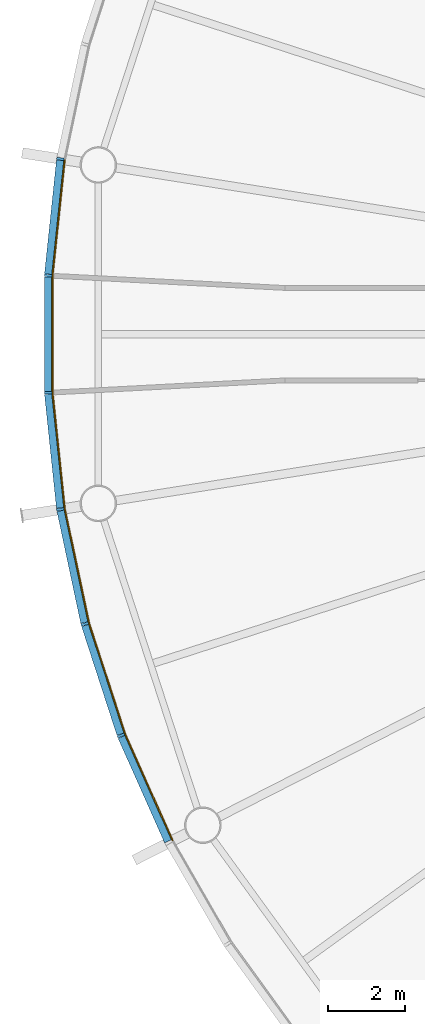
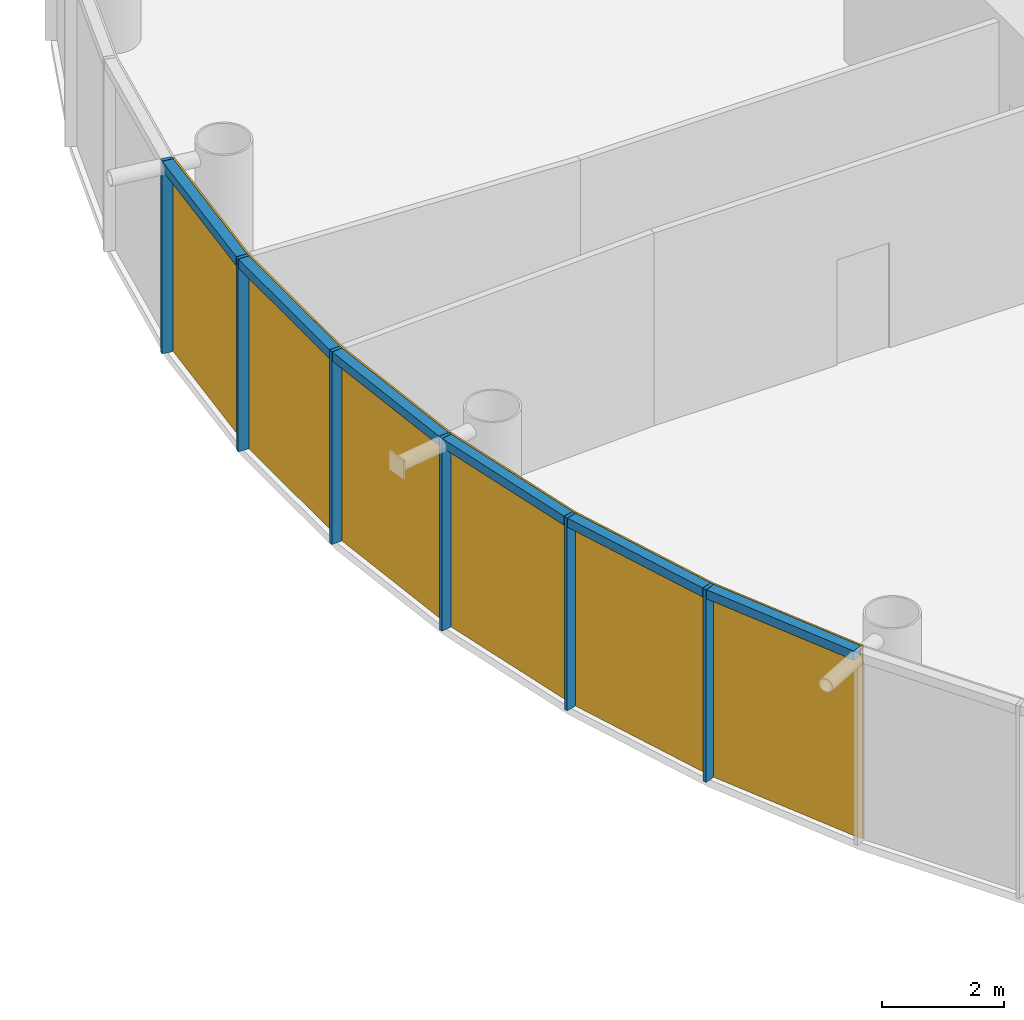
# One storey, part 12 of 17: 12 members, 2 curtain walls.
"""IFC4 building model written with IfcOpenShell, lengths in metres."""

import ifcopenshell
import ifcopenshell.guid

model = None  # the IFC model being written
_history = None  # IfcOwnerHistory: only IFC2X3 demands one
_inside = {}  # id of a spatial element -> (the spatial element, [elements in it])
_under = {}  # id of a project, library or spatial element -> (it, [spatial elements below it])
_declared = {}  # id of a project -> (the project, [libraries it declares])
_typed = {}  # id of a type object -> (the type object, [elements of that type])
_made_of = {}  # id of a material, layer set ... -> (it, [elements and type objects made of it])


def new_model(schema):
    """Start an empty IFC model of exactly this schema.

    Asked for "IFC4X3", IfcOpenShell would pick the latest addendum, in which some entities
    have other attributes; the version numbers below select the first issue.
    IFC2X3 requires an IfcOwnerHistory on every rooted entity: one is made here for all.
    """
    global model, _history
    if schema == "IFC4X3":
        model = ifcopenshell.file(schema_version=(4, 3, 0, 0))
    else:
        model = ifcopenshell.file(schema=schema)
    _inside.clear()
    _under.clear()
    _declared.clear()
    _typed.clear()
    _made_of.clear()
    _history = None
    if model.schema == "IFC2X3":
        org = make("IfcOrganization", Name="unknown")
        user = make(
            "IfcPersonAndOrganization",
            ThePerson=make("IfcPerson", FamilyName="unknown"),
            TheOrganization=org,
        )
        app = make(
            "IfcApplication",
            ApplicationDeveloper=org,
            Version="unknown",
            ApplicationFullName="unknown",
            ApplicationIdentifier="unknown",
        )
        _history = make(
            "IfcOwnerHistory",
            OwningUser=user,
            OwningApplication=app,
            ChangeAction="ADDED",
            CreationDate=0,
        )
    return model


def make(cls, **values):
    """One entity of the class cls with the attributes given. An attribute that is None is left unset."""
    return model.create_entity(
        cls, **{name: value for name, value in values.items() if value is not None}
    )


def rooted(cls, **values):
    """An entity with a GlobalId (a new one), such as an element, a storey or a relation."""
    return make(cls, GlobalId=ifcopenshell.guid.new(), OwnerHistory=_history, **values)


def si_unit(unit_type, name, prefix=None):
    """IfcSIUnit, for example si_unit("LENGTHUNIT", "METRE", prefix="MILLI")."""
    return make("IfcSIUnit", UnitType=unit_type, Prefix=prefix, Name=name)


def assignment(units):
    """IfcUnitAssignment: the units of a project."""
    return None if units is None else make("IfcUnitAssignment", Units=units)


def point(xyz):
    """IfcCartesianPoint."""
    return None if xyz is None else make("IfcCartesianPoint", Coordinates=xyz)


def direction(xyz):
    """IfcDirection."""
    return None if xyz is None else make("IfcDirection", DirectionRatios=xyz)


def frame(location, z_axis=None, x_axis=None):
    """IfcAxis2Placement3D, a coordinate frame: its origin and axes. An axis left out is left unset."""
    return make(
        "IfcAxis2Placement3D",
        Location=point(location),
        Axis=direction(z_axis),
        RefDirection=direction(x_axis),
    )


def frame_2d(location, x_axis=None):
    """IfcAxis2Placement2D, a coordinate frame in the plane: its origin and x axis."""
    return make(
        "IfcAxis2Placement2D", Location=point(location), RefDirection=direction(x_axis)
    )


def origin():
    """The frame at (0, 0, 0) with its axes left unset."""
    return frame((0.0, 0.0, 0.0))


def origin_2d():
    """The frame at (0, 0) in the plane with its x axis left unset."""
    return frame_2d((0.0, 0.0))


def place(relative_to, where):
    """IfcLocalPlacement: puts the frame where relative to a parent placement (None: the world)."""
    return make(
        "IfcLocalPlacement", PlacementRelTo=relative_to, RelativePlacement=where
    )


def context(
    kind, dimensions, precision=None, world=None, true_north=None, identifier=None
):
    """IfcGeometricRepresentationContext, for example the 3D "Model" context."""
    return make(
        "IfcGeometricRepresentationContext",
        ContextIdentifier=identifier,
        ContextType=kind,
        CoordinateSpaceDimension=dimensions,
        Precision=precision,
        WorldCoordinateSystem=world,
        TrueNorth=true_north,
    )


def subcontext(parent, identifier, kind, view, scale=None):
    """IfcGeometricRepresentationSubContext, for example "Body" below "Model"."""
    return make(
        "IfcGeometricRepresentationSubContext",
        ContextIdentifier=identifier,
        ContextType=kind,
        ParentContext=parent,
        TargetScale=scale,
        TargetView=view,
    )


def project(units=None, contexts=None):
    """IfcProject with its units and contexts."""
    return rooted(
        "IfcProject",
        Name="project",
        RepresentationContexts=contexts,
        UnitsInContext=assignment(units),
    )


def spatial(cls, under=None, at=None, **own):
    """A site, building, storey or space (cls), placed at a placement, below another one or the project."""
    s = rooted(cls, ObjectPlacement=at, **own)
    if under is not None:
        _under.setdefault(under.id(), (under, []))[1].append(s)
    return s


def polyline(points):
    """IfcPolyline through the points."""
    return make("IfcPolyline", Points=[point(p) for p in points])


def profile(cls, at=None, kind="AREA", **sizes):
    """A parametric profile (cls). Its sizes go by their IFC names, for example OverallWidth=200.0."""
    return make(cls, ProfileType=kind, Position=at, **sizes)


def rectangle(**sizes):
    """IfcRectangleProfileDef."""
    return profile("IfcRectangleProfileDef", **sizes)


def outline(outer, holes=None, kind="AREA"):
    """IfcArbitraryClosedProfileDef: a profile drawn as a closed curve; with holes, ...WithVoids."""
    if holes is None:
        return make("IfcArbitraryClosedProfileDef", ProfileType=kind, OuterCurve=outer)
    return make(
        "IfcArbitraryProfileDefWithVoids",
        ProfileType=kind,
        OuterCurve=outer,
        InnerCurves=holes,
    )


def extrude(swept, where, along, depth):
    """IfcExtrudedAreaSolid: the profile swept, set in the frame where, extruded along a direction by depth."""
    return make(
        "IfcExtrudedAreaSolid",
        SweptArea=swept,
        Position=where,
        ExtrudedDirection=direction(along),
        Depth=depth,
    )


def shape(context_of_items, identifier, shape_type, items):
    """IfcShapeRepresentation: the items that make up one representation, for example the "Body"."""
    return make(
        "IfcShapeRepresentation",
        ContextOfItems=context_of_items,
        RepresentationIdentifier=identifier,
        RepresentationType=shape_type,
        Items=items,
    )


def material(Name=None, Category=None):
    """IfcMaterial."""
    return make("IfcMaterial", Name=Name, Category=Category)


def layer(
    of_material, thickness, ventilated=None, Name=None, Category=None, Priority=None
):
    """IfcMaterialLayer: one layer of a wall or slab, of a material (None: an air gap)."""
    return make(
        "IfcMaterialLayer",
        Material=of_material,
        LayerThickness=thickness,
        IsVentilated=ventilated,
        Name=Name,
        Category=Category,
        Priority=Priority,
    )


def layer_set(layers, Name=None):
    """IfcMaterialLayerSet."""
    return make("IfcMaterialLayerSet", MaterialLayers=layers, LayerSetName=Name)


def material_profile(
    of_material, cross_section, Name=None, Category=None, Priority=None
):
    """IfcMaterialProfile: a cross section and its material."""
    return make(
        "IfcMaterialProfile",
        Name=Name,
        Material=of_material,
        Profile=cross_section,
        Priority=Priority,
        Category=Category,
    )


def profile_set(profiles, Name=None, composite=None):
    """IfcMaterialProfileSet."""
    return make(
        "IfcMaterialProfileSet",
        Name=Name,
        MaterialProfiles=profiles,
        CompositeProfile=composite,
    )


def made_of(thing, what):
    """Note that an element or type object is made of a material, layer set ...; save() writes the relation."""
    if what is not None:
        _made_of.setdefault(what.id(), (what, []))[1].append(thing)
    return thing


def type_object(cls, material=None, **own):
    """A type object (cls), such as IfcWallType, which elements share."""
    return made_of(rooted(cls, **own), material)


def element(
    cls,
    number,
    at=None,
    inside=None,
    cuts=None,
    type_object=None,
    material=None,
    context=None,
    identifier="Body",
    shape_type=None,
    held_by="IfcProductDefinitionShape",
    body=None,
    shapes=None,
    **own,
):
    """One element of the class cls, such as IfcWall. Its Tag is "e" and its number.

    at: its placement. inside: the storey or other place that contains it. cuts: it is an
    opening in that element (IfcRelVoidsElement). A single representation is given by context,
    identifier, shape_type and body (its items); several are given by shapes. held_by: the class
    of the entity that holds the representations. save() writes the other relations.
    """
    e = rooted(cls, Tag="e%d" % number, ObjectPlacement=at, **own)
    if body is not None:
        shapes = [shape(context, identifier, shape_type, body)]
    if shapes is not None:
        e.Representation = make(held_by, Representations=shapes)
    if inside is not None:
        _inside.setdefault(inside.id(), (inside, []))[1].append(e)
    if cuts is not None:
        rooted(
            "IfcRelVoidsElement", RelatingBuildingElement=cuts, RelatedOpeningElement=e
        )
    if type_object is not None:
        _typed.setdefault(type_object.id(), (type_object, []))[1].append(e)
    return made_of(e, material)


def aggregate(whole, parts):
    """IfcRelAggregates: a whole, such as a stair, and the parts it consists of."""
    return rooted("IfcRelAggregates", RelatingObject=whole, RelatedObjects=parts)


def save(model, path):
    """Write the relations noted so far, then the file.

    IfcRelAggregates (storeys below a building ...), IfcRelContainedInSpatialStructure (elements
    in a storey), IfcRelDefinesByType, IfcRelAssociatesMaterial and IfcRelDeclares: one each for
    every whole, place, type object, material and project.
    """
    for whole, parts in _under.values():
        aggregate(whole, parts)
    for where, things in _inside.values():
        rooted(
            "IfcRelContainedInSpatialStructure",
            RelatedElements=things,
            RelatingStructure=where,
        )
    for kind, things in _typed.values():
        rooted("IfcRelDefinesByType", RelatedObjects=things, RelatingType=kind)
    for what, things in _made_of.values():
        rooted("IfcRelAssociatesMaterial", RelatedObjects=things, RelatingMaterial=what)
    for by, libraries in _declared.values():
        rooted("IfcRelDeclares", RelatingContext=by, RelatedDefinitions=libraries)
    model.write(path)


model = new_model("IFC4")

# Units and contexts
model_context = context("Model", 3, precision=1e-05, world=origin(), true_north=direction((0.0, 1.0)))
body_context = subcontext(model_context, "Body", "Model", "MODEL_VIEW")
ifc_project = project(units=[si_unit("LENGTHUNIT", "METRE"), si_unit("AREAUNIT", "SQUARE_METRE"), si_unit("VOLUMEUNIT", "CUBIC_METRE"), si_unit("PLANEANGLEUNIT", "RADIAN"), si_unit("MASSUNIT", "GRAM", prefix="KILO")], contexts=[model_context])

# Member
ifc_material_1 = material(Name="Anodised aluminium", Category="aluminium")
ifc_material_profile_1 = material_profile(ifc_material_1, rectangle(XDim=0.06494140625, YDim=0.195068359375, at=origin_2d()), Name="Mullion 65 x 195 mm anodised aluminium")
ifc_profile_set_1 = profile_set([ifc_material_profile_1], Name="Anodised aluminium")
member_type_1 = type_object("IfcMemberType", Name="Mullion 65 x 195 mm anodised aluminium", PredefinedType="MULLION", material=ifc_profile_set_1)
site_placement = place(None, origin())
building_placement = place(site_placement, origin())
storey_placement = place(building_placement, frame((0.0, 0.0, 306.0)))
member_1_placement = place(storey_placement, frame((61.2607421875, 84.5517578125, 0.0), z_axis=(0.0, 0.0, 1.0), x_axis=(-0.15643446504, -0.987688340595, 0.0)))
member_1 = element("IfcMember", 1, at=member_1_placement, type_object=member_type_1, Name="MULLION L70-27", PredefinedType="MULLION", context=body_context, shape_type="SweptSolid", body=[
    extrude(rectangle(XDim=0.06494140625, YDim=0.195068359375, at=origin_2d()), origin(), (0.0, 0.0, 1.0), 3.85009765625),
])

member_2_placement = place(storey_placement, frame((60.9423828125, 81.52294921875, 0.0), z_axis=(0.0, 0.0, 1.0), x_axis=(-0.052335956243, -0.998629534755, 0.0)))
member_2 = element("IfcMember", 2, at=member_2_placement, type_object=member_type_1, Name="MULLION L70-28", PredefinedType="MULLION", context=body_context, shape_type="SweptSolid", body=[
    extrude(rectangle(XDim=0.06494140625, YDim=0.195068359375, at=origin_2d()), origin(), (0.0, 0.0, 1.0), 3.85009765625),
])

member_3_placement = place(storey_placement, frame((60.9423828125, 78.47705078125, 0.0), z_axis=(0.0, 0.0, 1.0), x_axis=(0.052335956243, -0.998629534755, 0.0)))
member_3 = element("IfcMember", 3, at=member_3_placement, type_object=member_type_1, Name="MULLION L70-29", PredefinedType="MULLION", context=body_context, shape_type="SweptSolid", body=[
    extrude(rectangle(XDim=0.06494140625, YDim=0.195068359375, at=origin_2d()), origin(), (0.0, 0.0, 1.0), 3.85009765625),
])

member_4_placement = place(storey_placement, frame((61.2607421875, 75.4482421875, 0.0), z_axis=(0.0, 0.0, 1.0), x_axis=(0.15643446504, -0.987688340595, 0.0)))
member_4 = element("IfcMember", 4, at=member_4_placement, type_object=member_type_1, Name="MULLION L70-30", PredefinedType="MULLION", context=body_context, shape_type="SweptSolid", body=[
    extrude(rectangle(XDim=0.06494140625, YDim=0.195068359375, at=origin_2d()), origin(), (0.0, 0.0, 1.0), 3.85009765625),
])

member_5_placement = place(storey_placement, frame((61.89404296875, 72.468994140625, 0.0), z_axis=(0.0, 0.0, 1.0), x_axis=(0.258819045103, -0.965925826289, 0.0)))
member_5 = element("IfcMember", 5, at=member_5_placement, type_object=member_type_1, Name="MULLION L70-31", PredefinedType="MULLION", context=body_context, shape_type="SweptSolid", body=[
    extrude(rectangle(XDim=0.06494140625, YDim=0.195068359375, at=origin_2d()), origin(), (0.0, 0.0, 1.0), 3.85009765625),
])

member_6_placement = place(storey_placement, frame((62.835205078125, 69.572509765625, 0.0), z_axis=(0.0, 0.0, 1.0), x_axis=(0.358367949545, -0.933580426497, 0.0)))
member_6 = element("IfcMember", 6, at=member_6_placement, type_object=member_type_1, Name="MULLION L70-32", PredefinedType="MULLION", context=body_context, shape_type="SweptSolid", body=[
    extrude(rectangle(XDim=0.06494140625, YDim=0.195068359375, at=origin_2d()), origin(), (0.0, 0.0, 1.0), 3.85009765625),
])

ifc_material_2 = material(Name="Anodised aluminium", Category="aluminium")
ifc_material_profile_2 = material_profile(ifc_material_2, rectangle(XDim=0.195068359375, YDim=0.179931640625, at=origin_2d()), Name="Transom 180 x 195 mm anodised aluminium")
ifc_profile_set_2 = profile_set([ifc_material_profile_2], Name="Anodised aluminium")
member_type_2 = type_object("IfcMemberType", Name="Transom 180 x 195 mm anodised aluminium", PredefinedType="USERDEFINED", material=ifc_profile_set_2)
member_7_placement = place(storey_placement, frame((61.256591796875, 84.514404296875, 3.760009765625), z_axis=(-0.104466577987, -0.994528397827, 0.0), x_axis=(0.994528397827, -0.104466577987, 0.0)))
member_7 = element("IfcMember", 7, at=member_7_placement, type_object=member_type_2, Name="TRANSOM L70-27", ObjectType="TRANSOM", PredefinedType="USERDEFINED", context=body_context, shape_type="SweptSolid", body=[
    extrude(rectangle(XDim=0.195068359375, YDim=0.179931640625, at=origin_2d()), origin(), (0.0, 0.0, 1.0), 2.970458984375),
])

member_8_placement = place(storey_placement, frame((60.942138671875, 81.4853515625, 3.760009765625), z_axis=(0.0, -1.0, 0.0), x_axis=(1.0, 0.0, 0.0)))
member_8 = element("IfcMember", 8, at=member_8_placement, type_object=member_type_2, Name="TRANSOM L70-28", ObjectType="TRANSOM", PredefinedType="USERDEFINED", context=body_context, shape_type="SweptSolid", body=[
    extrude(rectangle(XDim=0.195068359375, YDim=0.179931640625, at=origin_2d()), origin(), (0.0, 0.0, 1.0), 2.970703125),
])

member_9_placement = place(storey_placement, frame((60.9462890625, 78.439697265625, 3.760009765625), z_axis=(0.104466577987, -0.994528397827, 0.0), x_axis=(0.994528397827, 0.104466577987, 0.0)))
member_9 = element("IfcMember", 9, at=member_9_placement, type_object=member_type_2, Name="TRANSOM L70-29", ObjectType="TRANSOM", PredefinedType="USERDEFINED", context=body_context, shape_type="SweptSolid", body=[
    extrude(rectangle(XDim=0.195068359375, YDim=0.179931640625, at=origin_2d()), origin(), (0.0, 0.0, 1.0), 2.970458984375),
])

member_10_placement = place(storey_placement, frame((61.268310546875, 75.411376953125, 3.760009765625), z_axis=(0.207940342877, -0.978141510112, 0.0), x_axis=(0.978141510112, 0.207940342877, 0.0)))
member_10 = element("IfcMember", 10, at=member_10_placement, type_object=member_type_2, Name="TRANSOM L70-30", ObjectType="TRANSOM", PredefinedType="USERDEFINED", context=body_context, shape_type="SweptSolid", body=[
    extrude(rectangle(XDim=0.195068359375, YDim=0.179931640625, at=origin_2d()), origin(), (0.0, 0.0, 1.0), 2.970458984375),
])

member_11_placement = place(storey_placement, frame((61.905517578125, 72.43310546875, 3.760009765625), z_axis=(0.309043326415, -0.951047960094, 0.0), x_axis=(0.951047960094, 0.309043326415, 0.0)))
member_11 = element("IfcMember", 11, at=member_11_placement, type_object=member_type_2, Name="TRANSOM L70-31", ObjectType="TRANSOM", PredefinedType="USERDEFINED", context=body_context, shape_type="SweptSolid", body=[
    extrude(rectangle(XDim=0.195068359375, YDim=0.179931640625, at=origin_2d()), origin(), (0.0, 0.0, 1.0), 2.970458984375),
])

member_12_placement = place(storey_placement, frame((62.850341796875, 69.5380859375, 3.760009765625), z_axis=(0.406725527369, -0.913550406593, 0.0), x_axis=(0.913550406593, 0.406725527369, 0.0)))
member_12 = element("IfcMember", 12, at=member_12_placement, type_object=member_type_2, Name="TRANSOM L70-32", ObjectType="TRANSOM", PredefinedType="USERDEFINED", context=body_context, shape_type="SweptSolid", body=[
    extrude(rectangle(XDim=0.195068359375, YDim=0.179931640625, at=origin_2d()), origin(), (0.0, 0.0, 1.0), 2.970703125),
])

# Site, building, storey
site = spatial("IfcSite", under=ifc_project, at=site_placement, CompositionType="ELEMENT")
building = spatial("IfcBuilding", under=site, at=building_placement, Name="Entoto Ring Tower", CompositionType="ELEMENT")
storey = spatial("IfcBuildingStorey", under=building, at=storey_placement, Name="L70", CompositionType="ELEMENT", Elevation=306.0)

# Curtain wall
ifc_material_3 = material(Name="Clear low-iron glass", Category="glass")
ifc_layer = layer(ifc_material_3, 0.033935546875)
ifc_layer_set = layer_set([ifc_layer], Name="Clear low-iron glass")
curtain_wall_type = type_object("IfcCurtainWallType", Name="Curtain wall system CW5 glazing 34 mm", PredefinedType="NOTDEFINED", material=ifc_layer_set)
curtain_wall_1_placement = place(storey_placement, origin())
curtain_wall_1 = element("IfcCurtainWall", 13, at=curtain_wall_1_placement, inside=storey, type_object=curtain_wall_type, Name="CW5 L70-10", PredefinedType="NOTDEFINED", context=body_context, shape_type="SweptSolid", body=[
    extrude(outline(polyline([(61.35693359375, 84.53662109375), (61.039794921875, 81.517822265625), (61.039794921875, 78.482177734375), (61.35693359375, 75.46337890625), (61.390625, 75.46875), (61.07373046875, 78.484130859375), (61.07373046875, 81.515869140625), (61.390625, 84.53125), (61.35693359375, 84.53662109375)])), origin(), (0.0, 0.0, 1.0), 3.85009765625),
])

aggregate(curtain_wall_1, [member_1, member_2, member_3, member_7, member_8, member_9])

curtain_wall_2_placement = place(storey_placement, origin())
curtain_wall_2 = element("IfcCurtainWall", 14, at=curtain_wall_2_placement, inside=storey, type_object=curtain_wall_type, Name="CW5 L70-11", PredefinedType="NOTDEFINED", context=body_context, shape_type="SweptSolid", body=[
    extrude(outline(polyline([(61.35693359375, 75.46337890625), (61.988037109375, 72.494140625), (62.92626953125, 69.607421875), (64.160888671875, 66.834228515625), (64.191162109375, 66.849853515625), (62.9580078125, 69.61962890625), (62.02099609375, 72.503173828125), (61.390625, 75.46875), (61.35693359375, 75.46337890625)])), origin(), (0.0, 0.0, 1.0), 3.85009765625),
])

aggregate(curtain_wall_2, [member_4, member_5, member_6, member_10, member_11, member_12])

save(model, "model.ifc")
